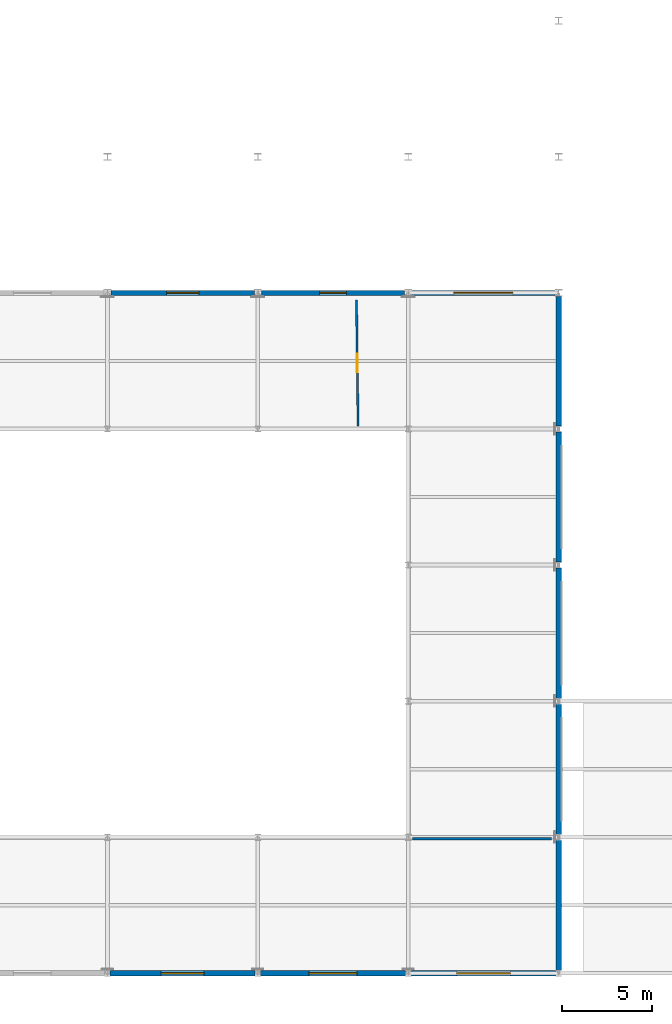
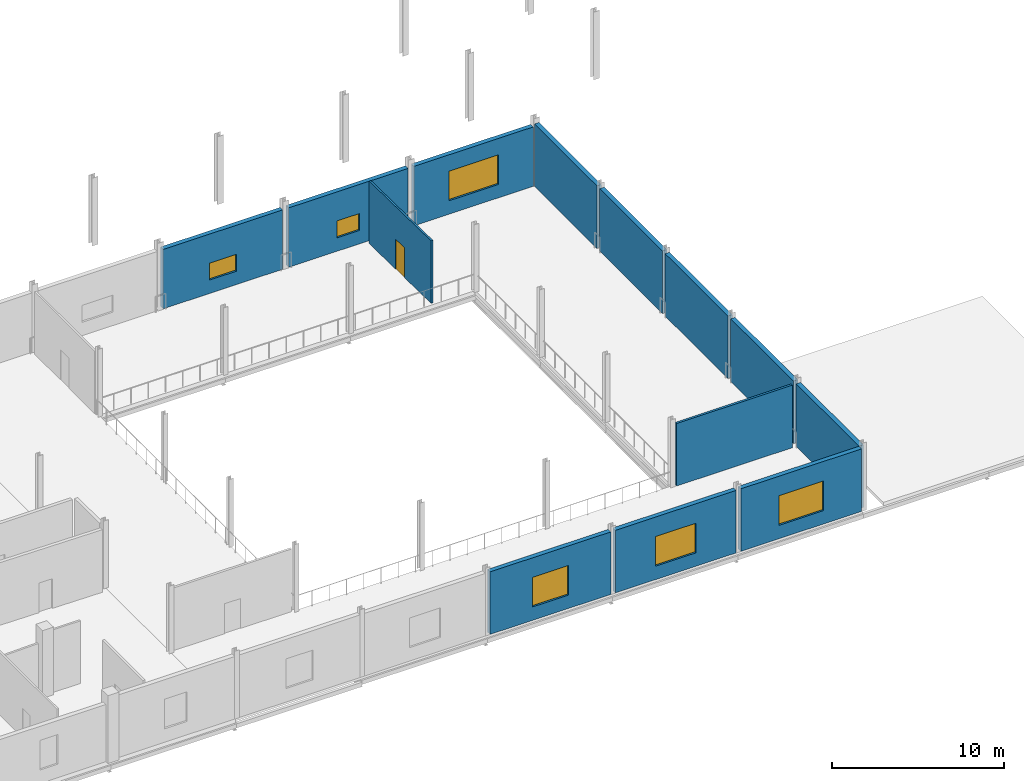
# One storey, part 30 of 51: 13 walls, 6 windows, 1 door, 7 openings.
"""IFC4 building model written with IfcOpenShell, lengths in metres."""

from ifc_helpers import new_model, si_unit, direction, frame, frame_2d, origin, place, context, subcontext, project, spatial, rectangle, extrude, material, layer, layer_set, type_object, element, fill, save


model = new_model("IFC4")

# Units and contexts
model_context = context("Model", 3, precision=1e-05, world=origin(), true_north=direction((0.0, 1.0)))
body_context = subcontext(model_context, "Body", "Model", "MODEL_VIEW")
ifc_project = project(units=[si_unit("LENGTHUNIT", "METRE"), si_unit("AREAUNIT", "SQUARE_METRE"), si_unit("VOLUMEUNIT", "CUBIC_METRE"), si_unit("PLANEANGLEUNIT", "RADIAN"), si_unit("MASSUNIT", "GRAM", prefix="KILO")], contexts=[model_context])

# Site, building, storey
site_placement = place(None, origin())
site = spatial("IfcSite", under=ifc_project, at=site_placement, CompositionType="ELEMENT")
building_placement = place(site_placement, origin())
building = spatial("IfcBuilding", under=site, at=building_placement, Name="Zuvorla Pavilion Media Centre", CompositionType="ELEMENT")
storey_placement = place(building_placement, frame((0.0, 0.0, 4.800048828125)))
storey = spatial("IfcBuildingStorey", under=building, at=storey_placement, Name="L01", CompositionType="ELEMENT", Elevation=4.800048828125)

# Wall, opening, window
ifc_material_1 = material(Name="White rendered concrete C32/40", Category="concrete")
ifc_layer_1 = layer(ifc_material_1, 0.300048828125)
ifc_layer_set_1 = layer_set([ifc_layer_1], Name="White rendered concrete C32/40")
wall_type_1 = type_object("IfcWallType", Name="WL-EXT-300", PredefinedType="SOLIDWALL", material=ifc_layer_set_1)
wall_1_placement = place(storey_placement, frame((134.154541015625, 6.0, 0.0), z_axis=(0.0, 0.0, 1.0), x_axis=(1.0, 0.0, 0.0)))
wall_1 = element("IfcWall", 1, at=wall_1_placement, inside=storey, type_object=wall_type_1, Name="L01 exterior solid wall EW03 170", PredefinedType="SOLIDWALL", context=body_context, shape_type="SweptSolid", body=[
    extrude(rectangle(XDim=8.0908203125, YDim=0.300048828125, at=frame_2d((4.04541015625, 0.0))), origin(), (0.0, 0.0, 1.0), 4.429931640625),
])
opening_1_placement = place(wall_1_placement, frame((2.845458984375, 0.0, 0.949951171875)))
opening_1 = element("IfcOpeningElement", 2, at=opening_1_placement, cuts=wall_1, Name="Opening WN21", PredefinedType="OPENING", context=body_context, shape_type="SweptSolid", body=[
    extrude(rectangle(XDim=2.39990234375, YDim=2.10009765625, at=frame_2d((1.199951171875, 1.050048828125))), frame((0.0, 0.159912109375, 0.0), z_axis=(0.0, -1.0, 0.0), x_axis=(1.0, 0.0, 0.0)), (0.0, 0.0, 1.0), 0.320068359375),
])
ifc_material_2 = material(Name="Anodised aluminium frame with solar double glazing", Category="aluminium")
window_type_1 = type_object("IfcWindowType", Name="WIN-WN21", PartitioningType="DOUBLE_PANEL_VERTICAL", PredefinedType="WINDOW", material=ifc_material_2)
window_1_placement = place(opening_1_placement, origin())
window_1 = element("IfcWindow", 3, at=window_1_placement, inside=storey, type_object=window_type_1, Name="L01 window WN21 49", OverallHeight=2.10009765625, OverallWidth=2.39990234375, PartitioningType="DOUBLE_PANEL_VERTICAL", PredefinedType="WINDOW", context=body_context, shape_type="SweptSolid", body=[
    extrude(rectangle(XDim=2.39990234375, YDim=2.10009765625, at=frame_2d((1.199951171875, 1.050048828125))), frame((0.0, 0.030029296875, 0.0), z_axis=(0.0, -1.0, 0.0), x_axis=(1.0, 0.0, 0.0)), (0.0, 0.0, 1.0), 0.06005859375),
])
fill(opening_1, window_1)

wall_2_placement = place(storey_placement, frame((142.5546875, 6.0, 0.0), z_axis=(0.0, 0.0, 1.0), x_axis=(1.0, 0.0, 0.0)))
wall_2 = element("IfcWall", 4, at=wall_2_placement, inside=storey, type_object=wall_type_1, Name="L01 exterior solid wall EW03 171", PredefinedType="SOLIDWALL", context=body_context, shape_type="SweptSolid", body=[
    extrude(rectangle(XDim=8.0908203125, YDim=0.300048828125, at=frame_2d((4.04541015625, 0.0))), origin(), (0.0, 0.0, 1.0), 4.429931640625),
])
opening_2_placement = place(wall_2_placement, frame((2.6953125, 0.0, 0.949951171875)))
opening_2 = element("IfcOpeningElement", 5, at=opening_2_placement, cuts=wall_2, Name="Opening WN22", PredefinedType="OPENING", context=body_context, shape_type="SweptSolid", body=[
    extrude(rectangle(XDim=2.699951171875, YDim=2.10009765625, at=frame_2d((1.35009765625, 1.050048828125))), frame((0.0, 0.159912109375, 0.0), z_axis=(0.0, -1.0, 0.0), x_axis=(1.0, 0.0, 0.0)), (0.0, 0.0, 1.0), 0.320068359375),
])
window_type_2 = type_object("IfcWindowType", Name="WIN-WN22", PartitioningType="DOUBLE_PANEL_VERTICAL", PredefinedType="WINDOW", material=ifc_material_2)
window_2_placement = place(opening_2_placement, origin())
window_2 = element("IfcWindow", 6, at=window_2_placement, inside=storey, type_object=window_type_2, Name="L01 window WN22 50", OverallHeight=2.10009765625, OverallWidth=2.699951171875, PartitioningType="DOUBLE_PANEL_VERTICAL", PredefinedType="WINDOW", context=body_context, shape_type="SweptSolid", body=[
    extrude(rectangle(XDim=2.699951171875, YDim=2.10009765625, at=frame_2d((1.35009765625, 1.050048828125))), frame((0.0, 0.030029296875, 0.0), z_axis=(0.0, -1.0, 0.0), x_axis=(1.0, 0.0, 0.0)), (0.0, 0.0, 1.0), 0.06005859375),
])
fill(opening_2, window_2)

wall_3_placement = place(storey_placement, frame((150.95458984375, 6.0, 0.0), z_axis=(0.0, 0.0, 1.0), x_axis=(1.0, 0.0, 0.0)))
wall_3 = element("IfcWall", 7, at=wall_3_placement, inside=storey, type_object=wall_type_1, Name="L01 exterior solid wall EW03 172", PredefinedType="SOLIDWALL", context=body_context, shape_type="SweptSolid", body=[
    extrude(rectangle(XDim=8.0908203125, YDim=0.300048828125, at=frame_2d((4.04541015625, 0.0))), origin(), (0.0, 0.0, 1.0), 4.429931640625),
])
opening_3_placement = place(wall_3_placement, frame((2.54541015625, 0.0, 0.949951171875)))
opening_3 = element("IfcOpeningElement", 8, at=opening_3_placement, cuts=wall_3, Name="Opening WN23", PredefinedType="OPENING", context=body_context, shape_type="SweptSolid", body=[
    extrude(rectangle(XDim=3.0, YDim=2.10009765625, at=frame_2d((1.5, 1.050048828125))), frame((0.0, 0.159912109375, 0.0), z_axis=(0.0, -1.0, 0.0), x_axis=(1.0, 0.0, 0.0)), (0.0, 0.0, 1.0), 0.320068359375),
])
window_type_3 = type_object("IfcWindowType", Name="WIN-WN23", PartitioningType="DOUBLE_PANEL_VERTICAL", PredefinedType="WINDOW", material=ifc_material_2)
window_3_placement = place(opening_3_placement, origin())
window_3 = element("IfcWindow", 9, at=window_3_placement, inside=storey, type_object=window_type_3, Name="L01 window WN23 51", OverallHeight=2.10009765625, OverallWidth=3.0, PartitioningType="DOUBLE_PANEL_VERTICAL", PredefinedType="WINDOW", context=body_context, shape_type="SweptSolid", body=[
    extrude(rectangle(XDim=3.0, YDim=2.10009765625, at=frame_2d((1.5, 1.050048828125))), frame((0.0, 0.030029296875, 0.0), z_axis=(0.0, -1.0, 0.0), x_axis=(1.0, 0.0, 0.0)), (0.0, 0.0, 1.0), 0.06005859375),
])
fill(opening_3, window_3)

# Walls
for number, where, z_axis, x_axis, name in (
    (10, (159.199951171875, 6.16015625, 0.0), (0.0, 0.0, 1.0), (0.0, 1.0, 0.0), "L01 exterior solid wall EW03 173"),
    (11, (159.199951171875, 13.76025390625, 0.0), (0.0, 0.0, 1.0), (0.0, 1.0, 0.0), "L01 exterior solid wall EW03 174"),
):
    element("IfcWall", number, at=place(storey_placement, frame(where, z_axis=z_axis, x_axis=x_axis)), inside=storey, type_object=wall_type_1, Name=name, PredefinedType="SOLIDWALL", context=body_context, shape_type="SweptSolid", body=[
        extrude(rectangle(XDim=7.279541015625, YDim=0.300048828125, at=frame_2d((3.6396484375, 0.0))), origin(), (0.0, 0.0, 1.0), 4.429931640625),
    ])
wall_4_placement = place(storey_placement, frame((159.199951171875, 21.3603515625, 0.0), z_axis=(0.0, 0.0, 1.0), x_axis=(0.0, 1.0, 0.0)))
element("IfcWall", 12, at=wall_4_placement, inside=storey, type_object=wall_type_1, Name="L01 exterior solid wall EW03 175", PredefinedType="SOLIDWALL", context=body_context, shape_type="SweptSolid", body=[
    extrude(rectangle(XDim=7.279296875, YDim=0.300048828125, at=frame_2d((3.6396484375, 0.0))), origin(), (0.0, 0.0, 1.0), 4.429931640625),
])
wall_5_placement = place(storey_placement, frame((159.199951171875, 28.960205078125, 0.0), z_axis=(0.0, 0.0, 1.0), x_axis=(0.0, 1.0, 0.0)))
element("IfcWall", 13, at=wall_5_placement, inside=storey, type_object=wall_type_1, Name="L01 exterior solid wall EW03 176", PredefinedType="SOLIDWALL", context=body_context, shape_type="SweptSolid", body=[
    extrude(rectangle(XDim=7.279541015625, YDim=0.300048828125, at=frame_2d((3.6396484375, 0.0))), origin(), (0.0, 0.0, 1.0), 4.429931640625),
])
wall_6_placement = place(storey_placement, frame((159.199951171875, 36.560302734375, 0.0), z_axis=(0.0, 0.0, 1.0), x_axis=(0.0, 1.0, 0.0)))
element("IfcWall", 14, at=wall_6_placement, inside=storey, type_object=wall_type_1, Name="L01 exterior solid wall EW03 177", PredefinedType="SOLIDWALL", context=body_context, shape_type="SweptSolid", body=[
    extrude(rectangle(XDim=7.242919921875, YDim=0.300048828125, at=frame_2d((3.62158203125, 0.0))), origin(), (0.0, 0.0, 1.0), 4.429931640625),
])

# Wall, opening, window
wall_7_placement = place(storey_placement, frame((159.00048828125, 44.0, 0.0), z_axis=(0.0, 0.0, 1.0), x_axis=(-1.0, 0.0, 0.0)))
wall_7 = element("IfcWall", 15, at=wall_7_placement, inside=storey, type_object=wall_type_1, Name="L01 exterior solid wall EW03 178", PredefinedType="SOLIDWALL", context=body_context, shape_type="SweptSolid", body=[
    extrude(rectangle(XDim=8.0009765625, YDim=0.300048828125, at=frame_2d((4.00048828125, 0.0))), origin(), (0.0, 0.0, 1.0), 4.20703125),
])
opening_4_placement = place(wall_7_placement, frame((2.3505859375, 0.0, 0.949951171875)))
opening_4 = element("IfcOpeningElement", 16, at=opening_4_placement, cuts=wall_7, Name="Opening WN24", PredefinedType="OPENING", context=body_context, shape_type="SweptSolid", body=[
    extrude(rectangle(XDim=3.300048828125, YDim=2.10009765625, at=frame_2d((1.64990234375, 1.050048828125))), frame((0.0, 0.159912109375, 0.0), z_axis=(0.0, -1.0, 0.0), x_axis=(1.0, 0.0, 0.0)), (0.0, 0.0, 1.0), 0.320068359375),
])
window_type_4 = type_object("IfcWindowType", Name="WIN-WN24", PartitioningType="DOUBLE_PANEL_VERTICAL", PredefinedType="WINDOW", material=ifc_material_2)
window_4_placement = place(opening_4_placement, origin())
window_4 = element("IfcWindow", 17, at=window_4_placement, inside=storey, type_object=window_type_4, Name="L01 window WN24 52", OverallHeight=2.10009765625, OverallWidth=3.300048828125, PartitioningType="DOUBLE_PANEL_VERTICAL", PredefinedType="WINDOW", context=body_context, shape_type="SweptSolid", body=[
    extrude(rectangle(XDim=3.300048828125, YDim=2.10009765625, at=frame_2d((1.64990234375, 1.050048828125))), frame((0.0, 0.030029296875, 0.0), z_axis=(0.0, -1.0, 0.0), x_axis=(1.0, 0.0, 0.0)), (0.0, 0.0, 1.0), 0.06005859375),
])
fill(opening_4, window_4)

wall_8_placement = place(storey_placement, frame((150.6005859375, 44.0, 0.0), z_axis=(0.0, 0.0, 1.0), x_axis=(-1.0, 0.0, 0.0)))
wall_8 = element("IfcWall", 18, at=wall_8_placement, inside=storey, type_object=wall_type_1, Name="L01 exterior solid wall EW03 179", PredefinedType="SOLIDWALL", context=body_context, shape_type="SweptSolid", body=[
    extrude(rectangle(XDim=8.0009765625, YDim=0.300048828125, at=frame_2d((4.00048828125, 0.0))), origin(), (0.0, 0.0, 1.0), 4.20703125),
])
opening_5_placement = place(wall_8_placement, frame((3.25048828125, 0.0, 0.949951171875)))
opening_5 = element("IfcOpeningElement", 19, at=opening_5_placement, cuts=wall_8, Name="Opening WN25", PredefinedType="OPENING", context=body_context, shape_type="SweptSolid", body=[
    extrude(rectangle(XDim=1.5, YDim=1.199951171875, at=frame_2d((0.75, 0.60009765625))), frame((0.0, 0.159912109375, 0.0), z_axis=(0.0, -1.0, 0.0), x_axis=(1.0, 0.0, 0.0)), (0.0, 0.0, 1.0), 0.320068359375),
])
window_type_5 = type_object("IfcWindowType", Name="WIN-WN25", PartitioningType="SINGLE_PANEL", PredefinedType="WINDOW", material=ifc_material_2)
window_5_placement = place(opening_5_placement, origin())
window_5 = element("IfcWindow", 20, at=window_5_placement, inside=storey, type_object=window_type_5, Name="L01 window WN25 53", OverallHeight=1.199951171875, OverallWidth=1.5, PartitioningType="SINGLE_PANEL", PredefinedType="WINDOW", context=body_context, shape_type="SweptSolid", body=[
    extrude(rectangle(XDim=1.5, YDim=1.199951171875, at=frame_2d((0.75, 0.60009765625))), frame((0.0, 0.030029296875, 0.0), z_axis=(0.0, -1.0, 0.0), x_axis=(1.0, 0.0, 0.0)), (0.0, 0.0, 1.0), 0.06005859375),
])
fill(opening_5, window_5)

wall_9_placement = place(storey_placement, frame((142.200439453125, 44.0, 0.0), z_axis=(0.0, 0.0, 1.0), x_axis=(-1.0, 0.0, 0.0)))
wall_9 = element("IfcWall", 21, at=wall_9_placement, inside=storey, type_object=wall_type_1, Name="L01 exterior solid wall EW03 180", PredefinedType="SOLIDWALL", context=body_context, shape_type="SweptSolid", body=[
    extrude(rectangle(XDim=8.0009765625, YDim=0.300048828125, at=frame_2d((4.00048828125, 0.0))), origin(), (0.0, 0.0, 1.0), 4.20703125),
])
opening_6_placement = place(wall_9_placement, frame((3.1005859375, 0.0, 0.949951171875)))
opening_6 = element("IfcOpeningElement", 22, at=opening_6_placement, cuts=wall_9, Name="Opening WN26", PredefinedType="OPENING", context=body_context, shape_type="SweptSolid", body=[
    extrude(rectangle(XDim=1.800048828125, YDim=1.199951171875, at=frame_2d((0.89990234375, 0.60009765625))), frame((0.0, 0.159912109375, 0.0), z_axis=(0.0, -1.0, 0.0), x_axis=(1.0, 0.0, 0.0)), (0.0, 0.0, 1.0), 0.320068359375),
])
window_type_6 = type_object("IfcWindowType", Name="WIN-WN26", PartitioningType="DOUBLE_PANEL_VERTICAL", PredefinedType="WINDOW", material=ifc_material_2)
window_6_placement = place(opening_6_placement, origin())
window_6 = element("IfcWindow", 23, at=window_6_placement, inside=storey, type_object=window_type_6, Name="L01 window WN26 54", OverallHeight=1.199951171875, OverallWidth=1.800048828125, PartitioningType="DOUBLE_PANEL_VERTICAL", PredefinedType="WINDOW", context=body_context, shape_type="SweptSolid", body=[
    extrude(rectangle(XDim=1.800048828125, YDim=1.199951171875, at=frame_2d((0.89990234375, 0.60009765625))), frame((0.0, 0.030029296875, 0.0), z_axis=(0.0, -1.0, 0.0), x_axis=(1.0, 0.0, 0.0)), (0.0, 0.0, 1.0), 0.06005859375),
])
fill(opening_6, window_6)

# Wall, opening, door
ifc_material_3 = material(Name="Lightweight gypsum partition")
ifc_layer_2 = layer(ifc_material_3, 0.1201171875)
ifc_layer_set_2 = layer_set([ifc_layer_2], Name="Lightweight gypsum partition")
wall_type_2 = type_object("IfcWallType", Name="WL-PRT-120", PredefinedType="PARTITIONING", material=ifc_layer_set_2)
wall_10_placement = place(storey_placement, frame((147.909912109375, 43.60009765625, 0.0), z_axis=(0.0, 0.0, 1.0), x_axis=(0.012656774984, -0.999919899815, 0.0)))
wall_10 = element("IfcWall", 24, at=wall_10_placement, inside=storey, type_object=wall_type_2, Name="L01 partition PT12 494", PredefinedType="PARTITIONING", context=body_context, shape_type="SweptSolid", body=[
    extrude(rectangle(XDim=7.04052734375, YDim=0.1201171875, at=frame_2d((3.520263671875, 0.0))), origin(), (0.0, 0.0, 1.0), 4.429931640625),
])
opening_7_placement = place(wall_10_placement, frame((3.01025390625, 0.0, 0.0)))
opening_7 = element("IfcOpeningElement", 25, at=opening_7_placement, cuts=wall_10, Name="Opening ID04", PredefinedType="OPENING", context=body_context, shape_type="SweptSolid", body=[
    extrude(rectangle(XDim=1.02001953125, YDim=2.1201171875, at=frame_2d((0.510009765625, 1.06005859375))), frame((0.0, 0.070068359375, 0.0), z_axis=(0.0, -1.0, 0.0), x_axis=(1.0, 0.0, 0.0)), (0.0, 0.0, 1.0), 0.14013671875),
])
ifc_material_4 = material(Name="Hardwood acoustic studio door in anodised frame", Category="wood")
door_type = type_object("IfcDoorType", Name="DR-UNR-ID04", OperationType="NOTDEFINED", PredefinedType="DOOR", material=ifc_material_4)
door_placement = place(opening_7_placement, origin())
door = element("IfcDoor", 26, at=door_placement, inside=storey, type_object=door_type, Name="Interior door ID04 202", OperationType="SINGLE_SWING_LEFT", OverallHeight=2.1201171875, OverallWidth=1.02001953125, PredefinedType="DOOR", context=body_context, shape_type="SweptSolid", body=[
    extrude(rectangle(XDim=1.02001953125, YDim=2.1201171875, at=frame_2d((0.510009765625, 1.06005859375))), frame((0.0, 0.02490234375, 0.0), z_axis=(0.0, -1.0, 0.0), x_axis=(1.0, 0.0, 0.0)), (0.0, 0.0, 1.0), 0.050048828125),
])
fill(opening_7, door)

# Wall
ifc_material_5 = material(Name="Acoustic gypsum stud partition")
ifc_layer_3 = layer(ifc_material_5, 0.14990234375)
ifc_layer_set_3 = layer_set([ifc_layer_3], Name="Acoustic gypsum stud partition")
wall_type_3 = type_object("IfcWallType", Name="WL-PRT-150", PredefinedType="PARTITIONING", material=ifc_layer_set_3)
wall_11_placement = place(storey_placement, frame((151.044677734375, 13.510009765625, 0.0), z_axis=(0.0, 0.0, 1.0), x_axis=(1.0, 0.0, 0.0)))
element("IfcWall", 27, at=wall_11_placement, inside=storey, type_object=wall_type_3, Name="L01 partition PT15 495", PredefinedType="PARTITIONING", context=body_context, shape_type="SweptSolid", body=[
    extrude(rectangle(XDim=7.75537109375, YDim=0.14990234375, at=frame_2d((3.877685546875, 0.0))), origin(), (0.0, 0.0, 1.0), 4.429931640625),
])

save(model, "model.ifc")
